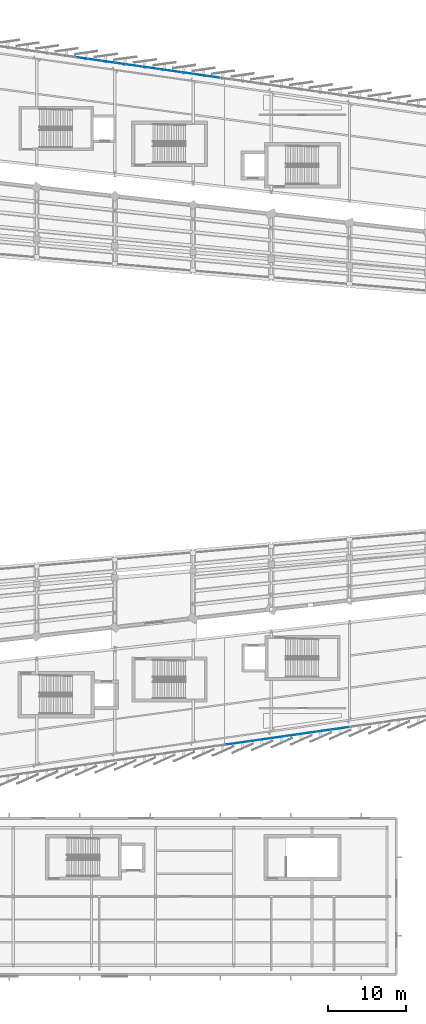
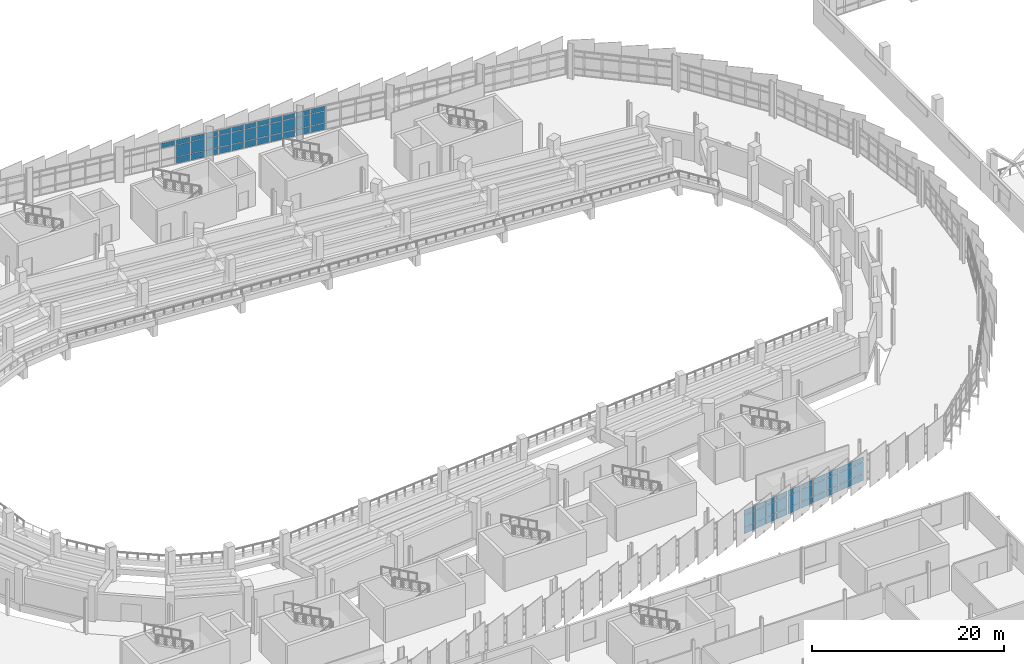
# One storey, part 87 of 120: 64 plates, 5 elements without a shape of their own.
"""IFC4 building model written with IfcOpenShell, lengths in metres."""

import ifcopenshell
import ifcopenshell.guid

model = None  # the IFC model being written
_history = None  # IfcOwnerHistory: only IFC2X3 demands one
_inside = {}  # id of a spatial element -> (the spatial element, [elements in it])
_under = {}  # id of a project, library or spatial element -> (it, [spatial elements below it])
_declared = {}  # id of a project -> (the project, [libraries it declares])
_typed = {}  # id of a type object -> (the type object, [elements of that type])
_made_of = {}  # id of a material, layer set ... -> (it, [elements and type objects made of it])


def new_model(schema):
    """Start an empty IFC model of exactly this schema.

    Asked for "IFC4X3", IfcOpenShell would pick the latest addendum, in which some entities
    have other attributes; the version numbers below select the first issue.
    IFC2X3 requires an IfcOwnerHistory on every rooted entity: one is made here for all.
    """
    global model, _history
    if schema == "IFC4X3":
        model = ifcopenshell.file(schema_version=(4, 3, 0, 0))
    else:
        model = ifcopenshell.file(schema=schema)
    _inside.clear()
    _under.clear()
    _declared.clear()
    _typed.clear()
    _made_of.clear()
    _history = None
    if model.schema == "IFC2X3":
        org = make("IfcOrganization", Name="unknown")
        user = make(
            "IfcPersonAndOrganization",
            ThePerson=make("IfcPerson", FamilyName="unknown"),
            TheOrganization=org,
        )
        app = make(
            "IfcApplication",
            ApplicationDeveloper=org,
            Version="unknown",
            ApplicationFullName="unknown",
            ApplicationIdentifier="unknown",
        )
        _history = make(
            "IfcOwnerHistory",
            OwningUser=user,
            OwningApplication=app,
            ChangeAction="ADDED",
            CreationDate=0,
        )
    return model


def make(cls, **values):
    """One entity of the class cls with the attributes given. An attribute that is None is left unset."""
    return model.create_entity(
        cls, **{name: value for name, value in values.items() if value is not None}
    )


def rooted(cls, **values):
    """An entity with a GlobalId (a new one), such as an element, a storey or a relation."""
    return make(cls, GlobalId=ifcopenshell.guid.new(), OwnerHistory=_history, **values)


def si_unit(unit_type, name, prefix=None):
    """IfcSIUnit, for example si_unit("LENGTHUNIT", "METRE", prefix="MILLI")."""
    return make("IfcSIUnit", UnitType=unit_type, Prefix=prefix, Name=name)


def assignment(units):
    """IfcUnitAssignment: the units of a project."""
    return None if units is None else make("IfcUnitAssignment", Units=units)


def point(xyz):
    """IfcCartesianPoint."""
    return None if xyz is None else make("IfcCartesianPoint", Coordinates=xyz)


def direction(xyz):
    """IfcDirection."""
    return None if xyz is None else make("IfcDirection", DirectionRatios=xyz)


def frame(location, z_axis=None, x_axis=None):
    """IfcAxis2Placement3D, a coordinate frame: its origin and axes. An axis left out is left unset."""
    return make(
        "IfcAxis2Placement3D",
        Location=point(location),
        Axis=direction(z_axis),
        RefDirection=direction(x_axis),
    )


def frame_2d(location, x_axis=None):
    """IfcAxis2Placement2D, a coordinate frame in the plane: its origin and x axis."""
    return make(
        "IfcAxis2Placement2D", Location=point(location), RefDirection=direction(x_axis)
    )


def origin():
    """The frame at (0, 0, 0) with its axes left unset."""
    return frame((0.0, 0.0, 0.0))


def origin_2d():
    """The frame at (0, 0) in the plane with its x axis left unset."""
    return frame_2d((0.0, 0.0))


def place(relative_to, where):
    """IfcLocalPlacement: puts the frame where relative to a parent placement (None: the world)."""
    return make(
        "IfcLocalPlacement", PlacementRelTo=relative_to, RelativePlacement=where
    )


def context(
    kind, dimensions, precision=None, world=None, true_north=None, identifier=None
):
    """IfcGeometricRepresentationContext, for example the 3D "Model" context."""
    return make(
        "IfcGeometricRepresentationContext",
        ContextIdentifier=identifier,
        ContextType=kind,
        CoordinateSpaceDimension=dimensions,
        Precision=precision,
        WorldCoordinateSystem=world,
        TrueNorth=true_north,
    )


def subcontext(parent, identifier, kind, view, scale=None):
    """IfcGeometricRepresentationSubContext, for example "Body" below "Model"."""
    return make(
        "IfcGeometricRepresentationSubContext",
        ContextIdentifier=identifier,
        ContextType=kind,
        ParentContext=parent,
        TargetScale=scale,
        TargetView=view,
    )


def project(units=None, contexts=None):
    """IfcProject with its units and contexts."""
    return rooted(
        "IfcProject",
        Name="project",
        RepresentationContexts=contexts,
        UnitsInContext=assignment(units),
    )


def spatial(cls, under=None, at=None, **own):
    """A site, building, storey or space (cls), placed at a placement, below another one or the project."""
    s = rooted(cls, ObjectPlacement=at, **own)
    if under is not None:
        _under.setdefault(under.id(), (under, []))[1].append(s)
    return s


def profile(cls, at=None, kind="AREA", **sizes):
    """A parametric profile (cls). Its sizes go by their IFC names, for example OverallWidth=200.0."""
    return make(cls, ProfileType=kind, Position=at, **sizes)


def rectangle(**sizes):
    """IfcRectangleProfileDef."""
    return profile("IfcRectangleProfileDef", **sizes)


def extrude(swept, where, along, depth):
    """IfcExtrudedAreaSolid: the profile swept, set in the frame where, extruded along a direction by depth."""
    return make(
        "IfcExtrudedAreaSolid",
        SweptArea=swept,
        Position=where,
        ExtrudedDirection=direction(along),
        Depth=depth,
    )


def shape(context_of_items, identifier, shape_type, items):
    """IfcShapeRepresentation: the items that make up one representation, for example the "Body"."""
    return make(
        "IfcShapeRepresentation",
        ContextOfItems=context_of_items,
        RepresentationIdentifier=identifier,
        RepresentationType=shape_type,
        Items=items,
    )


def material(Name=None, Category=None):
    """IfcMaterial."""
    return make("IfcMaterial", Name=Name, Category=Category)


def layer(
    of_material, thickness, ventilated=None, Name=None, Category=None, Priority=None
):
    """IfcMaterialLayer: one layer of a wall or slab, of a material (None: an air gap)."""
    return make(
        "IfcMaterialLayer",
        Material=of_material,
        LayerThickness=thickness,
        IsVentilated=ventilated,
        Name=Name,
        Category=Category,
        Priority=Priority,
    )


def layer_set(layers, Name=None):
    """IfcMaterialLayerSet."""
    return make("IfcMaterialLayerSet", MaterialLayers=layers, LayerSetName=Name)


def made_of(thing, what):
    """Note that an element or type object is made of a material, layer set ...; save() writes the relation."""
    if what is not None:
        _made_of.setdefault(what.id(), (what, []))[1].append(thing)
    return thing


def type_object(cls, material=None, **own):
    """A type object (cls), such as IfcWallType, which elements share."""
    return made_of(rooted(cls, **own), material)


def element(
    cls,
    number,
    at=None,
    inside=None,
    cuts=None,
    type_object=None,
    material=None,
    context=None,
    identifier="Body",
    shape_type=None,
    held_by="IfcProductDefinitionShape",
    body=None,
    shapes=None,
    **own,
):
    """One element of the class cls, such as IfcWall. Its Tag is "e" and its number.

    at: its placement. inside: the storey or other place that contains it. cuts: it is an
    opening in that element (IfcRelVoidsElement). A single representation is given by context,
    identifier, shape_type and body (its items); several are given by shapes. held_by: the class
    of the entity that holds the representations. save() writes the other relations.
    """
    e = rooted(cls, Tag="e%d" % number, ObjectPlacement=at, **own)
    if body is not None:
        shapes = [shape(context, identifier, shape_type, body)]
    if shapes is not None:
        e.Representation = make(held_by, Representations=shapes)
    if inside is not None:
        _inside.setdefault(inside.id(), (inside, []))[1].append(e)
    if cuts is not None:
        rooted(
            "IfcRelVoidsElement", RelatingBuildingElement=cuts, RelatedOpeningElement=e
        )
    if type_object is not None:
        _typed.setdefault(type_object.id(), (type_object, []))[1].append(e)
    return made_of(e, material)


def aggregate(whole, parts):
    """IfcRelAggregates: a whole, such as a stair, and the parts it consists of."""
    return rooted("IfcRelAggregates", RelatingObject=whole, RelatedObjects=parts)


def save(model, path):
    """Write the relations noted so far, then the file.

    IfcRelAggregates (storeys below a building ...), IfcRelContainedInSpatialStructure (elements
    in a storey), IfcRelDefinesByType, IfcRelAssociatesMaterial and IfcRelDeclares: one each for
    every whole, place, type object, material and project.
    """
    for whole, parts in _under.values():
        aggregate(whole, parts)
    for where, things in _inside.values():
        rooted(
            "IfcRelContainedInSpatialStructure",
            RelatedElements=things,
            RelatingStructure=where,
        )
    for kind, things in _typed.values():
        rooted("IfcRelDefinesByType", RelatedObjects=things, RelatingType=kind)
    for what, things in _made_of.values():
        rooted("IfcRelAssociatesMaterial", RelatedObjects=things, RelatingMaterial=what)
    for by, libraries in _declared.values():
        rooted("IfcRelDeclares", RelatingContext=by, RelatedDefinitions=libraries)
    model.write(path)


model = new_model("IFC4")

# Units and contexts
model_context = context("Model", 3, precision=1e-05, world=origin(), true_north=direction((0.0, 1.0)))
body_context = subcontext(model_context, "Body", "Model", "MODEL_VIEW")
ifc_project = project(units=[si_unit("LENGTHUNIT", "METRE"), si_unit("AREAUNIT", "SQUARE_METRE"), si_unit("VOLUMEUNIT", "CUBIC_METRE"), si_unit("PLANEANGLEUNIT", "RADIAN"), si_unit("MASSUNIT", "GRAM", prefix="KILO")], contexts=[model_context])

# Site, building, storey
site_placement = place(None, origin())
site = spatial("IfcSite", under=ifc_project, at=site_placement, CompositionType="ELEMENT")
building_placement = place(site_placement, origin())
building = spatial("IfcBuilding", under=site, at=building_placement, Name="Sohan Crest Arena", CompositionType="ELEMENT")
storey_placement = place(building_placement, frame((0.0, 0.0, 13.5)))
storey = spatial("IfcBuildingStorey", under=building, at=storey_placement, Name="L03", CompositionType="ELEMENT", Elevation=13.5)

# Curtain wall, plates
ifc_material_1 = material(Name="Thermally broken anodised aluminium", Category="aluminium")
ifc_layer_1 = layer(ifc_material_1, 0.18994140625, Name="Thermally broken anodised aluminium")
ifc_layer_set_1 = layer_set([ifc_layer_1], Name="Thermally broken anodised aluminium")
curtain_wall_type_1 = type_object("IfcCurtainWallType", Name="ARC-CW05", PredefinedType="NOTDEFINED", material=ifc_layer_set_1)
curtain_wall_1_placement = place(storey_placement, origin())
curtain_wall_1 = element("IfcCurtainWall", 1, at=curtain_wall_1_placement, inside=storey, type_object=curtain_wall_type_1, Name="Unitised curtain wall CW-094", PredefinedType="NOTDEFINED")
ifc_material_2 = material(Name="Low-E double-glazed insulated glass", Category="glass")
ifc_layer_2 = layer(ifc_material_2, 0.028076171875, Name="Low-E double-glazed insulated glass")
ifc_layer_set_2 = layer_set([ifc_layer_2], Name="Low-E double-glazed insulated glass")
plate_type_1 = type_object("IfcPlateType", Name="ARC-CNP01", PredefinedType="CURTAIN_PANEL", material=ifc_layer_set_2)
plate_1_placement = place(storey_placement, frame((143.0, 35.528564453125, 0.06494140625), z_axis=(0.0, 0.0, 1.0), x_axis=(0.989943553128, 0.141462933734, 0.0)))
plate_1 = element("IfcPlate", 2, at=plate_1_placement, type_object=plate_type_1, Name="CW-094 panel 4.1", PredefinedType="CURTAIN_PANEL", context=body_context, shape_type="SweptSolid", body=[
    extrude(rectangle(XDim=1.383056640625, YDim=0.028076171875, at=origin_2d()), origin(), (0.0, 0.0, 1.0), 0.802490234375),
])
plate_2_placement = place(storey_placement, frame((143.0, 35.528564453125, 0.932373046875), z_axis=(0.0, 0.0, 1.0), x_axis=(0.989943553128, 0.141462933734, 0.0)))
plate_2 = element("IfcPlate", 3, at=plate_2_placement, type_object=plate_type_1, Name="CW-094 panel 4.2", PredefinedType="CURTAIN_PANEL", context=body_context, shape_type="SweptSolid", body=[
    extrude(rectangle(XDim=1.383056640625, YDim=0.028076171875, at=origin_2d()), origin(), (0.0, 0.0, 1.0), 1.455078125),
])
plate_3_placement = place(storey_placement, frame((143.0, 35.528564453125, 2.452392578125), z_axis=(0.0, 0.0, 1.0), x_axis=(0.989943553128, 0.141462933734, 0.0)))
plate_3 = element("IfcPlate", 4, at=plate_3_placement, type_object=plate_type_1, Name="CW-094 panel 4.3", PredefinedType="CURTAIN_PANEL", context=body_context, shape_type="SweptSolid", body=[
    extrude(rectangle(XDim=1.383056640625, YDim=0.028076171875, at=origin_2d()), origin(), (0.0, 0.0, 1.0), 0.6025390625),
])
plate_4_placement = place(storey_placement, frame((144.428466796875, 35.732666015625, 0.06494140625), z_axis=(0.0, 0.0, 1.0), x_axis=(0.989943553128, 0.141462933734, 0.0)))
plate_4 = element("IfcPlate", 5, at=plate_4_placement, type_object=plate_type_1, Name="CW-094 panel 5.1", PredefinedType="CURTAIN_PANEL", context=body_context, shape_type="SweptSolid", body=[
    extrude(rectangle(XDim=1.383056640625, YDim=0.028076171875, at=origin_2d()), origin(), (0.0, 0.0, 1.0), 0.802490234375),
])
plate_5_placement = place(storey_placement, frame((144.428466796875, 35.732666015625, 0.932373046875), z_axis=(0.0, 0.0, 1.0), x_axis=(0.989943553128, 0.141462933734, 0.0)))
plate_5 = element("IfcPlate", 6, at=plate_5_placement, type_object=plate_type_1, Name="CW-094 panel 5.2", PredefinedType="CURTAIN_PANEL", context=body_context, shape_type="SweptSolid", body=[
    extrude(rectangle(XDim=1.383056640625, YDim=0.028076171875, at=origin_2d()), origin(), (0.0, 0.0, 1.0), 1.455078125),
])
plate_6_placement = place(storey_placement, frame((144.428466796875, 35.732666015625, 2.452392578125), z_axis=(0.0, 0.0, 1.0), x_axis=(0.989943553128, 0.141462933734, 0.0)))
plate_6 = element("IfcPlate", 7, at=plate_6_placement, type_object=plate_type_1, Name="CW-094 panel 5.3", PredefinedType="CURTAIN_PANEL", context=body_context, shape_type="SweptSolid", body=[
    extrude(rectangle(XDim=1.383056640625, YDim=0.028076171875, at=origin_2d()), origin(), (0.0, 0.0, 1.0), 0.6025390625),
])
plate_7_placement = place(storey_placement, frame((145.857177734375, 35.936767578125, 0.06494140625), z_axis=(0.0, 0.0, 1.0), x_axis=(0.989943553128, 0.141462933734, 0.0)))
plate_7 = element("IfcPlate", 8, at=plate_7_placement, type_object=plate_type_1, Name="CW-094 panel 6.1", PredefinedType="CURTAIN_PANEL", context=body_context, shape_type="SweptSolid", body=[
    extrude(rectangle(XDim=1.383056640625, YDim=0.028076171875, at=origin_2d()), origin(), (0.0, 0.0, 1.0), 0.802490234375),
])
plate_8_placement = place(storey_placement, frame((145.857177734375, 35.936767578125, 0.932373046875), z_axis=(0.0, 0.0, 1.0), x_axis=(0.989943553128, 0.141462933734, 0.0)))
plate_8 = element("IfcPlate", 9, at=plate_8_placement, type_object=plate_type_1, Name="CW-094 panel 6.2", PredefinedType="CURTAIN_PANEL", context=body_context, shape_type="SweptSolid", body=[
    extrude(rectangle(XDim=1.383056640625, YDim=0.028076171875, at=origin_2d()), origin(), (0.0, 0.0, 1.0), 1.455078125),
])
plate_9_placement = place(storey_placement, frame((145.857177734375, 35.936767578125, 2.452392578125), z_axis=(0.0, 0.0, 1.0), x_axis=(0.989943553128, 0.141462933734, 0.0)))
plate_9 = element("IfcPlate", 10, at=plate_9_placement, type_object=plate_type_1, Name="CW-094 panel 6.3", PredefinedType="CURTAIN_PANEL", context=body_context, shape_type="SweptSolid", body=[
    extrude(rectangle(XDim=1.383056640625, YDim=0.028076171875, at=origin_2d()), origin(), (0.0, 0.0, 1.0), 0.6025390625),
])
plate_10_placement = place(storey_placement, frame((147.270751953125, 36.138916015625, 0.06494140625), z_axis=(0.0, 0.0, 1.0), x_axis=(0.989943553128, 0.141462933734, 0.0)))
plate_10 = element("IfcPlate", 11, at=plate_10_placement, type_object=plate_type_1, Name="CW-094 panel 7.1", PredefinedType="CURTAIN_PANEL", context=body_context, shape_type="SweptSolid", body=[
    extrude(rectangle(XDim=1.35302734375, YDim=0.028076171875, at=origin_2d()), origin(), (0.0, 0.0, 1.0), 0.802490234375),
])
plate_11_placement = place(storey_placement, frame((147.270751953125, 36.138916015625, 0.932373046875), z_axis=(0.0, 0.0, 1.0), x_axis=(0.989943553128, 0.141462933734, 0.0)))
plate_11 = element("IfcPlate", 12, at=plate_11_placement, type_object=plate_type_1, Name="CW-094 panel 7.2", PredefinedType="CURTAIN_PANEL", context=body_context, shape_type="SweptSolid", body=[
    extrude(rectangle(XDim=1.35302734375, YDim=0.028076171875, at=origin_2d()), origin(), (0.0, 0.0, 1.0), 1.455078125),
])
plate_12_placement = place(storey_placement, frame((147.270751953125, 36.138916015625, 2.452392578125), z_axis=(0.0, 0.0, 1.0), x_axis=(0.989943553128, 0.141462933734, 0.0)))
plate_12 = element("IfcPlate", 13, at=plate_12_placement, type_object=plate_type_1, Name="CW-094 panel 7.3", PredefinedType="CURTAIN_PANEL", context=body_context, shape_type="SweptSolid", body=[
    extrude(rectangle(XDim=1.35302734375, YDim=0.028076171875, at=origin_2d()), origin(), (0.0, 0.0, 1.0), 0.6025390625),
])
aggregate(curtain_wall_1, [plate_1, plate_2, plate_3, plate_4, plate_5, plate_6, plate_7, plate_8, plate_9, plate_10, plate_11, plate_12])

ifc_layer_3 = layer(ifc_material_1, 0.2099609375, Name="Thermally broken anodised aluminium")
ifc_layer_set_3 = layer_set([ifc_layer_3], Name="Thermally broken anodised aluminium")
curtain_wall_type_2 = type_object("IfcCurtainWallType", Name="ARC-CW06", PredefinedType="NOTDEFINED", material=ifc_layer_set_3)
curtain_wall_2_placement = place(storey_placement, origin())
curtain_wall_2 = element("IfcCurtainWall", 14, at=curtain_wall_2_placement, inside=storey, type_object=curtain_wall_type_2, Name="Unitised curtain wall CW-095", PredefinedType="NOTDEFINED")
ifc_layer_4 = layer(ifc_material_2, 0.031982421875, Name="Low-E double-glazed insulated glass")
ifc_layer_set_4 = layer_set([ifc_layer_4], Name="Low-E double-glazed insulated glass")
plate_type_2 = type_object("IfcPlateType", Name="ARC-CNP02", PredefinedType="CURTAIN_PANEL", material=ifc_layer_set_4)
plate_13_placement = place(storey_placement, frame((148.849365234375, 36.3642578125, 0.070068359375), z_axis=(0.0, 0.0, 1.0), x_axis=(0.989957411768, 0.141365918403, 0.0)))
plate_13 = element("IfcPlate", 15, at=plate_13_placement, type_object=plate_type_2, Name="CW-095 panel 1.1", PredefinedType="CURTAIN_PANEL", context=body_context, shape_type="SweptSolid", body=[
    extrude(rectangle(XDim=1.586181640625, YDim=0.031982421875, at=origin_2d()), origin(), (0.0, 0.0, 1.0), 0.794921875),
])
plate_14_placement = place(storey_placement, frame((148.849365234375, 36.3642578125, 0.93505859375), z_axis=(0.0, 0.0, 1.0), x_axis=(0.989957411768, 0.141365918403, 0.0)))
plate_14 = element("IfcPlate", 16, at=plate_14_placement, type_object=plate_type_2, Name="CW-095 panel 1.2", PredefinedType="CURTAIN_PANEL", context=body_context, shape_type="SweptSolid", body=[
    extrude(rectangle(XDim=1.586181640625, YDim=0.031982421875, at=origin_2d()), origin(), (0.0, 0.0, 1.0), 1.449951171875),
])
plate_15_placement = place(storey_placement, frame((148.849365234375, 36.3642578125, 2.455078125), z_axis=(0.0, 0.0, 1.0), x_axis=(0.989957411768, 0.141365918403, 0.0)))
plate_15 = element("IfcPlate", 17, at=plate_15_placement, type_object=plate_type_2, Name="CW-095 panel 1.3", PredefinedType="CURTAIN_PANEL", context=body_context, shape_type="SweptSolid", body=[
    extrude(rectangle(XDim=1.586181640625, YDim=0.031982421875, at=origin_2d()), origin(), (0.0, 0.0, 1.0), 0.594970703125),
])
plate_16_placement = place(storey_placement, frame((150.5, 36.60009765625, 0.070068359375), z_axis=(0.0, 0.0, 1.0), x_axis=(0.989957411768, 0.141365918403, 0.0)))
plate_16 = element("IfcPlate", 18, at=plate_16_placement, type_object=plate_type_2, Name="CW-095 panel 2.1", PredefinedType="CURTAIN_PANEL", context=body_context, shape_type="SweptSolid", body=[
    extrude(rectangle(XDim=1.61865234375, YDim=0.031982421875, at=origin_2d()), origin(), (0.0, 0.0, 1.0), 0.794921875),
])
plate_17_placement = place(storey_placement, frame((150.5, 36.60009765625, 0.93505859375), z_axis=(0.0, 0.0, 1.0), x_axis=(0.989957411768, 0.141365918403, 0.0)))
plate_17 = element("IfcPlate", 19, at=plate_17_placement, type_object=plate_type_2, Name="CW-095 panel 2.2", PredefinedType="CURTAIN_PANEL", context=body_context, shape_type="SweptSolid", body=[
    extrude(rectangle(XDim=1.61865234375, YDim=0.031982421875, at=origin_2d()), origin(), (0.0, 0.0, 1.0), 1.449951171875),
])
plate_18_placement = place(storey_placement, frame((150.5, 36.60009765625, 2.455078125), z_axis=(0.0, 0.0, 1.0), x_axis=(0.989957411768, 0.141365918403, 0.0)))
plate_18 = element("IfcPlate", 20, at=plate_18_placement, type_object=plate_type_2, Name="CW-095 panel 2.3", PredefinedType="CURTAIN_PANEL", context=body_context, shape_type="SweptSolid", body=[
    extrude(rectangle(XDim=1.61865234375, YDim=0.031982421875, at=origin_2d()), origin(), (0.0, 0.0, 1.0), 0.594970703125),
])
plate_19_placement = place(storey_placement, frame((152.166748046875, 36.837890625, 0.070068359375), z_axis=(0.0, 0.0, 1.0), x_axis=(0.989957411768, 0.141365918403, 0.0)))
plate_19 = element("IfcPlate", 21, at=plate_19_placement, type_object=plate_type_2, Name="CW-095 panel 3.1", PredefinedType="CURTAIN_PANEL", context=body_context, shape_type="SweptSolid", body=[
    extrude(rectangle(XDim=1.61865234375, YDim=0.031982421875, at=origin_2d()), origin(), (0.0, 0.0, 1.0), 0.794921875),
])
plate_20_placement = place(storey_placement, frame((152.166748046875, 36.837890625, 0.93505859375), z_axis=(0.0, 0.0, 1.0), x_axis=(0.989957411768, 0.141365918403, 0.0)))
plate_20 = element("IfcPlate", 22, at=plate_20_placement, type_object=plate_type_2, Name="CW-095 panel 3.2", PredefinedType="CURTAIN_PANEL", context=body_context, shape_type="SweptSolid", body=[
    extrude(rectangle(XDim=1.61865234375, YDim=0.031982421875, at=origin_2d()), origin(), (0.0, 0.0, 1.0), 1.449951171875),
])
plate_21_placement = place(storey_placement, frame((152.166748046875, 36.837890625, 2.455078125), z_axis=(0.0, 0.0, 1.0), x_axis=(0.989957411768, 0.141365918403, 0.0)))
plate_21 = element("IfcPlate", 23, at=plate_21_placement, type_object=plate_type_2, Name="CW-095 panel 3.3", PredefinedType="CURTAIN_PANEL", context=body_context, shape_type="SweptSolid", body=[
    extrude(rectangle(XDim=1.61865234375, YDim=0.031982421875, at=origin_2d()), origin(), (0.0, 0.0, 1.0), 0.594970703125),
])
plate_22_placement = place(storey_placement, frame((153.833251953125, 37.075927734375, 0.070068359375), z_axis=(0.0, 0.0, 1.0), x_axis=(0.989957411768, 0.141365918403, 0.0)))
plate_22 = element("IfcPlate", 24, at=plate_22_placement, type_object=plate_type_2, Name="CW-095 panel 4.1", PredefinedType="CURTAIN_PANEL", context=body_context, shape_type="SweptSolid", body=[
    extrude(rectangle(XDim=1.61865234375, YDim=0.031982421875, at=origin_2d()), origin(), (0.0, 0.0, 1.0), 0.794921875),
])
plate_23_placement = place(storey_placement, frame((153.833251953125, 37.075927734375, 0.93505859375), z_axis=(0.0, 0.0, 1.0), x_axis=(0.989957411768, 0.141365918403, 0.0)))
plate_23 = element("IfcPlate", 25, at=plate_23_placement, type_object=plate_type_2, Name="CW-095 panel 4.2", PredefinedType="CURTAIN_PANEL", context=body_context, shape_type="SweptSolid", body=[
    extrude(rectangle(XDim=1.61865234375, YDim=0.031982421875, at=origin_2d()), origin(), (0.0, 0.0, 1.0), 1.449951171875),
])
plate_24_placement = place(storey_placement, frame((153.833251953125, 37.075927734375, 2.455078125), z_axis=(0.0, 0.0, 1.0), x_axis=(0.989957411768, 0.141365918403, 0.0)))
plate_24 = element("IfcPlate", 26, at=plate_24_placement, type_object=plate_type_2, Name="CW-095 panel 4.3", PredefinedType="CURTAIN_PANEL", context=body_context, shape_type="SweptSolid", body=[
    extrude(rectangle(XDim=1.61865234375, YDim=0.031982421875, at=origin_2d()), origin(), (0.0, 0.0, 1.0), 0.594970703125),
])
plate_25_placement = place(storey_placement, frame((155.5, 37.31396484375, 0.070068359375), z_axis=(0.0, 0.0, 1.0), x_axis=(0.989957411768, 0.141365918403, 0.0)))
plate_25 = element("IfcPlate", 27, at=plate_25_placement, type_object=plate_type_2, Name="CW-095 panel 5.1", PredefinedType="CURTAIN_PANEL", context=body_context, shape_type="SweptSolid", body=[
    extrude(rectangle(XDim=1.61865234375, YDim=0.031982421875, at=origin_2d()), origin(), (0.0, 0.0, 1.0), 0.794921875),
])
plate_26_placement = place(storey_placement, frame((155.5, 37.31396484375, 0.93505859375), z_axis=(0.0, 0.0, 1.0), x_axis=(0.989957411768, 0.141365918403, 0.0)))
plate_26 = element("IfcPlate", 28, at=plate_26_placement, type_object=plate_type_2, Name="CW-095 panel 5.2", PredefinedType="CURTAIN_PANEL", context=body_context, shape_type="SweptSolid", body=[
    extrude(rectangle(XDim=1.61865234375, YDim=0.031982421875, at=origin_2d()), origin(), (0.0, 0.0, 1.0), 1.449951171875),
])
plate_27_placement = place(storey_placement, frame((155.5, 37.31396484375, 2.455078125), z_axis=(0.0, 0.0, 1.0), x_axis=(0.989957411768, 0.141365918403, 0.0)))
plate_27 = element("IfcPlate", 29, at=plate_27_placement, type_object=plate_type_2, Name="CW-095 panel 5.3", PredefinedType="CURTAIN_PANEL", context=body_context, shape_type="SweptSolid", body=[
    extrude(rectangle(XDim=1.61865234375, YDim=0.031982421875, at=origin_2d()), origin(), (0.0, 0.0, 1.0), 0.594970703125),
])
plate_28_placement = place(storey_placement, frame((157.150634765625, 37.5498046875, 0.070068359375), z_axis=(0.0, 0.0, 1.0), x_axis=(0.989957411768, 0.141365918403, 0.0)))
plate_28 = element("IfcPlate", 30, at=plate_28_placement, type_object=plate_type_2, Name="CW-095 panel 6.1", PredefinedType="CURTAIN_PANEL", context=body_context, shape_type="SweptSolid", body=[
    extrude(rectangle(XDim=1.586181640625, YDim=0.031982421875, at=origin_2d()), origin(), (0.0, 0.0, 1.0), 0.794921875),
])
plate_29_placement = place(storey_placement, frame((157.150634765625, 37.5498046875, 0.93505859375), z_axis=(0.0, 0.0, 1.0), x_axis=(0.989957411768, 0.141365918403, 0.0)))
plate_29 = element("IfcPlate", 31, at=plate_29_placement, type_object=plate_type_2, Name="CW-095 panel 6.2", PredefinedType="CURTAIN_PANEL", context=body_context, shape_type="SweptSolid", body=[
    extrude(rectangle(XDim=1.586181640625, YDim=0.031982421875, at=origin_2d()), origin(), (0.0, 0.0, 1.0), 1.449951171875),
])
plate_30_placement = place(storey_placement, frame((157.150634765625, 37.5498046875, 2.455078125), z_axis=(0.0, 0.0, 1.0), x_axis=(0.989957411768, 0.141365918403, 0.0)))
plate_30 = element("IfcPlate", 32, at=plate_30_placement, type_object=plate_type_2, Name="CW-095 panel 6.3", PredefinedType="CURTAIN_PANEL", context=body_context, shape_type="SweptSolid", body=[
    extrude(rectangle(XDim=1.586181640625, YDim=0.031982421875, at=origin_2d()), origin(), (0.0, 0.0, 1.0), 0.594970703125),
])
aggregate(curtain_wall_2, [plate_13, plate_14, plate_15, plate_16, plate_17, plate_18, plate_19, plate_20, plate_21, plate_22, plate_23, plate_24, plate_25, plate_26, plate_27, plate_28, plate_29, plate_30])

curtain_wall_3_placement = place(storey_placement, origin())
curtain_wall_3 = element("IfcCurtainWall", 33, at=curtain_wall_3_placement, inside=storey, type_object=curtain_wall_type_2, Name="Unitised curtain wall CW-107", PredefinedType="NOTDEFINED")
plate_31_placement = place(storey_placement, frame((140.5, 120.828857421875, 0.070068359375), z_axis=(0.0, 0.0, 1.0), x_axis=(-0.989943553128, 0.141462933734, 0.0)))
plate_31 = element("IfcPlate", 34, at=plate_31_placement, type_object=plate_type_2, Name="CW-107 panel 5.1", PredefinedType="CURTAIN_PANEL", context=body_context, shape_type="SweptSolid", body=[
    extrude(rectangle(XDim=1.61865234375, YDim=0.031982421875, at=origin_2d()), origin(), (0.0, 0.0, 1.0), 0.794921875),
])
plate_32_placement = place(storey_placement, frame((140.5, 120.828857421875, 0.93505859375), z_axis=(0.0, 0.0, 1.0), x_axis=(-0.989943553128, 0.141462933734, 0.0)))
plate_32 = element("IfcPlate", 35, at=plate_32_placement, type_object=plate_type_2, Name="CW-107 panel 5.2", PredefinedType="CURTAIN_PANEL", context=body_context, shape_type="SweptSolid", body=[
    extrude(rectangle(XDim=1.61865234375, YDim=0.031982421875, at=origin_2d()), origin(), (0.0, 0.0, 1.0), 1.449951171875),
])
plate_33_placement = place(storey_placement, frame((140.5, 120.828857421875, 2.455078125), z_axis=(0.0, 0.0, 1.0), x_axis=(-0.989943553128, 0.141462933734, 0.0)))
plate_33 = element("IfcPlate", 36, at=plate_33_placement, type_object=plate_type_2, Name="CW-107 panel 5.3", PredefinedType="CURTAIN_PANEL", context=body_context, shape_type="SweptSolid", body=[
    extrude(rectangle(XDim=1.61865234375, YDim=0.031982421875, at=origin_2d()), origin(), (0.0, 0.0, 1.0), 0.594970703125),
])
plate_34_placement = place(storey_placement, frame((138.849365234375, 121.064697265625, 0.070068359375), z_axis=(0.0, 0.0, 1.0), x_axis=(-0.989943553128, 0.141462933734, 0.0)))
plate_34 = element("IfcPlate", 37, at=plate_34_placement, type_object=plate_type_2, Name="CW-107 panel 6.1", PredefinedType="CURTAIN_PANEL", context=body_context, shape_type="SweptSolid", body=[
    extrude(rectangle(XDim=1.586181640625, YDim=0.031982421875, at=origin_2d()), origin(), (0.0, 0.0, 1.0), 0.794921875),
])
plate_35_placement = place(storey_placement, frame((138.849365234375, 121.064697265625, 0.93505859375), z_axis=(0.0, 0.0, 1.0), x_axis=(-0.989943553128, 0.141462933734, 0.0)))
plate_35 = element("IfcPlate", 38, at=plate_35_placement, type_object=plate_type_2, Name="CW-107 panel 6.2", PredefinedType="CURTAIN_PANEL", context=body_context, shape_type="SweptSolid", body=[
    extrude(rectangle(XDim=1.586181640625, YDim=0.031982421875, at=origin_2d()), origin(), (0.0, 0.0, 1.0), 1.449951171875),
])
plate_36_placement = place(storey_placement, frame((138.849365234375, 121.064697265625, 2.455078125), z_axis=(0.0, 0.0, 1.0), x_axis=(-0.989943553128, 0.141462933734, 0.0)))
plate_36 = element("IfcPlate", 39, at=plate_36_placement, type_object=plate_type_2, Name="CW-107 panel 6.3", PredefinedType="CURTAIN_PANEL", context=body_context, shape_type="SweptSolid", body=[
    extrude(rectangle(XDim=1.586181640625, YDim=0.031982421875, at=origin_2d()), origin(), (0.0, 0.0, 1.0), 0.594970703125),
])
aggregate(curtain_wall_3, [plate_31, plate_32, plate_33, plate_34, plate_35, plate_36])

ifc_layer_5 = layer(ifc_material_1, 0.179931640625, Name="Thermally broken anodised aluminium")
ifc_layer_set_5 = layer_set([ifc_layer_5], Name="Thermally broken anodised aluminium")
curtain_wall_type_3 = type_object("IfcCurtainWallType", Name="ARC-CW01", PredefinedType="NOTDEFINED", material=ifc_layer_set_5)
curtain_wall_4_placement = place(storey_placement, origin())
curtain_wall_4 = element("IfcCurtainWall", 40, at=curtain_wall_4_placement, inside=storey, type_object=curtain_wall_type_3, Name="Unitised curtain wall CW-108", PredefinedType="NOTDEFINED")
ifc_material_3 = material(Name="Ceramic-fritted solar-control insulated glass", Category="glass")
ifc_layer_6 = layer(ifc_material_3, 0.035888671875, Name="Ceramic-fritted solar-control insulated glass")
ifc_layer_set_6 = layer_set([ifc_layer_6], Name="Ceramic-fritted solar-control insulated glass")
plate_type_3 = type_object("IfcPlateType", Name="ARC-CNP03", PredefinedType="CURTAIN_PANEL", material=ifc_layer_set_6)
plate_37_placement = place(storey_placement, frame((137.268310546875, 121.29052734375, 0.06005859375), z_axis=(0.0, 0.0, 1.0), x_axis=(-0.989957411768, 0.141365918403, 0.0)))
plate_37 = element("IfcPlate", 41, at=plate_37_placement, type_object=plate_type_3, Name="CW-108 panel 1.1", PredefinedType="CURTAIN_PANEL", context=body_context, shape_type="SweptSolid", body=[
    extrude(rectangle(XDim=1.338134765625, YDim=0.035888671875, at=origin_2d()), origin(), (0.0, 0.0, 1.0), 0.81005859375),
])
plate_38_placement = place(storey_placement, frame((137.268310546875, 121.29052734375, 0.929931640625), z_axis=(0.0, 0.0, 1.0), x_axis=(-0.989957411768, 0.141365918403, 0.0)))
plate_38 = element("IfcPlate", 42, at=plate_38_placement, type_object=plate_type_3, Name="CW-108 panel 1.2", PredefinedType="CURTAIN_PANEL", context=body_context, shape_type="SweptSolid", body=[
    extrude(rectangle(XDim=1.338134765625, YDim=0.035888671875, at=origin_2d()), origin(), (0.0, 0.0, 1.0), 1.4599609375),
])
plate_39_placement = place(storey_placement, frame((137.268310546875, 121.29052734375, 2.44970703125), z_axis=(0.0, 0.0, 1.0), x_axis=(-0.989957411768, 0.141365918403, 0.0)))
plate_39 = element("IfcPlate", 43, at=plate_39_placement, type_object=plate_type_3, Name="CW-108 panel 1.3", PredefinedType="CURTAIN_PANEL", context=body_context, shape_type="SweptSolid", body=[
    extrude(rectangle(XDim=1.338134765625, YDim=0.035888671875, at=origin_2d()), origin(), (0.0, 0.0, 1.0), 0.610107421875),
])
plate_40_placement = place(storey_placement, frame((135.857177734375, 121.491943359375, 0.06005859375), z_axis=(0.0, 0.0, 1.0), x_axis=(-0.989957411768, 0.141365918403, 0.0)))
plate_40 = element("IfcPlate", 44, at=plate_40_placement, type_object=plate_type_3, Name="CW-108 panel 2.1", PredefinedType="CURTAIN_PANEL", context=body_context, shape_type="SweptSolid", body=[
    extrude(rectangle(XDim=1.373046875, YDim=0.035888671875, at=origin_2d()), origin(), (0.0, 0.0, 1.0), 0.81005859375),
])
plate_41_placement = place(storey_placement, frame((135.857177734375, 121.491943359375, 0.929931640625), z_axis=(0.0, 0.0, 1.0), x_axis=(-0.989957411768, 0.141365918403, 0.0)))
plate_41 = element("IfcPlate", 45, at=plate_41_placement, type_object=plate_type_3, Name="CW-108 panel 2.2", PredefinedType="CURTAIN_PANEL", context=body_context, shape_type="SweptSolid", body=[
    extrude(rectangle(XDim=1.373046875, YDim=0.035888671875, at=origin_2d()), origin(), (0.0, 0.0, 1.0), 1.4599609375),
])
plate_42_placement = place(storey_placement, frame((135.857177734375, 121.491943359375, 2.44970703125), z_axis=(0.0, 0.0, 1.0), x_axis=(-0.989957411768, 0.141365918403, 0.0)))
plate_42 = element("IfcPlate", 46, at=plate_42_placement, type_object=plate_type_3, Name="CW-108 panel 2.3", PredefinedType="CURTAIN_PANEL", context=body_context, shape_type="SweptSolid", body=[
    extrude(rectangle(XDim=1.373046875, YDim=0.035888671875, at=origin_2d()), origin(), (0.0, 0.0, 1.0), 0.610107421875),
])
plate_43_placement = place(storey_placement, frame((134.428466796875, 121.696044921875, 0.06005859375), z_axis=(0.0, 0.0, 1.0), x_axis=(-0.989957411768, 0.141365918403, 0.0)))
plate_43 = element("IfcPlate", 47, at=plate_43_placement, type_object=plate_type_3, Name="CW-108 panel 3.1", PredefinedType="CURTAIN_PANEL", context=body_context, shape_type="SweptSolid", body=[
    extrude(rectangle(XDim=1.373046875, YDim=0.035888671875, at=origin_2d()), origin(), (0.0, 0.0, 1.0), 0.81005859375),
])
plate_44_placement = place(storey_placement, frame((134.428466796875, 121.696044921875, 0.929931640625), z_axis=(0.0, 0.0, 1.0), x_axis=(-0.989957411768, 0.141365918403, 0.0)))
plate_44 = element("IfcPlate", 48, at=plate_44_placement, type_object=plate_type_3, Name="CW-108 panel 3.2", PredefinedType="CURTAIN_PANEL", context=body_context, shape_type="SweptSolid", body=[
    extrude(rectangle(XDim=1.373046875, YDim=0.035888671875, at=origin_2d()), origin(), (0.0, 0.0, 1.0), 1.4599609375),
])
plate_45_placement = place(storey_placement, frame((134.428466796875, 121.696044921875, 2.44970703125), z_axis=(0.0, 0.0, 1.0), x_axis=(-0.989957411768, 0.141365918403, 0.0)))
plate_45 = element("IfcPlate", 49, at=plate_45_placement, type_object=plate_type_3, Name="CW-108 panel 3.3", PredefinedType="CURTAIN_PANEL", context=body_context, shape_type="SweptSolid", body=[
    extrude(rectangle(XDim=1.373046875, YDim=0.035888671875, at=origin_2d()), origin(), (0.0, 0.0, 1.0), 0.610107421875),
])
plate_46_placement = place(storey_placement, frame((133.0, 121.89990234375, 0.06005859375), z_axis=(0.0, 0.0, 1.0), x_axis=(-0.989957411768, 0.141365918403, 0.0)))
plate_46 = element("IfcPlate", 50, at=plate_46_placement, type_object=plate_type_3, Name="CW-108 panel 4.1", PredefinedType="CURTAIN_PANEL", context=body_context, shape_type="SweptSolid", body=[
    extrude(rectangle(XDim=1.373046875, YDim=0.035888671875, at=origin_2d()), origin(), (0.0, 0.0, 1.0), 0.81005859375),
])
plate_47_placement = place(storey_placement, frame((133.0, 121.89990234375, 0.929931640625), z_axis=(0.0, 0.0, 1.0), x_axis=(-0.989957411768, 0.141365918403, 0.0)))
plate_47 = element("IfcPlate", 51, at=plate_47_placement, type_object=plate_type_3, Name="CW-108 panel 4.2", PredefinedType="CURTAIN_PANEL", context=body_context, shape_type="SweptSolid", body=[
    extrude(rectangle(XDim=1.373046875, YDim=0.035888671875, at=origin_2d()), origin(), (0.0, 0.0, 1.0), 1.4599609375),
])
plate_48_placement = place(storey_placement, frame((133.0, 121.89990234375, 2.44970703125), z_axis=(0.0, 0.0, 1.0), x_axis=(-0.989957411768, 0.141365918403, 0.0)))
plate_48 = element("IfcPlate", 52, at=plate_48_placement, type_object=plate_type_3, Name="CW-108 panel 4.3", PredefinedType="CURTAIN_PANEL", context=body_context, shape_type="SweptSolid", body=[
    extrude(rectangle(XDim=1.373046875, YDim=0.035888671875, at=origin_2d()), origin(), (0.0, 0.0, 1.0), 0.610107421875),
])
plate_49_placement = place(storey_placement, frame((131.571533203125, 122.10400390625, 0.06005859375), z_axis=(0.0, 0.0, 1.0), x_axis=(-0.989957411768, 0.141365918403, 0.0)))
plate_49 = element("IfcPlate", 53, at=plate_49_placement, type_object=plate_type_3, Name="CW-108 panel 5.1", PredefinedType="CURTAIN_PANEL", context=body_context, shape_type="SweptSolid", body=[
    extrude(rectangle(XDim=1.373046875, YDim=0.035888671875, at=origin_2d()), origin(), (0.0, 0.0, 1.0), 0.81005859375),
])
plate_50_placement = place(storey_placement, frame((131.571533203125, 122.10400390625, 0.929931640625), z_axis=(0.0, 0.0, 1.0), x_axis=(-0.989957411768, 0.141365918403, 0.0)))
plate_50 = element("IfcPlate", 54, at=plate_50_placement, type_object=plate_type_3, Name="CW-108 panel 5.2", PredefinedType="CURTAIN_PANEL", context=body_context, shape_type="SweptSolid", body=[
    extrude(rectangle(XDim=1.373046875, YDim=0.035888671875, at=origin_2d()), origin(), (0.0, 0.0, 1.0), 1.4599609375),
])
plate_51_placement = place(storey_placement, frame((131.571533203125, 122.10400390625, 2.44970703125), z_axis=(0.0, 0.0, 1.0), x_axis=(-0.989957411768, 0.141365918403, 0.0)))
plate_51 = element("IfcPlate", 55, at=plate_51_placement, type_object=plate_type_3, Name="CW-108 panel 5.3", PredefinedType="CURTAIN_PANEL", context=body_context, shape_type="SweptSolid", body=[
    extrude(rectangle(XDim=1.373046875, YDim=0.035888671875, at=origin_2d()), origin(), (0.0, 0.0, 1.0), 0.610107421875),
])
plate_52_placement = place(storey_placement, frame((130.142822265625, 122.30810546875, 0.06005859375), z_axis=(0.0, 0.0, 1.0), x_axis=(-0.989957411768, 0.141365918403, 0.0)))
plate_52 = element("IfcPlate", 56, at=plate_52_placement, type_object=plate_type_3, Name="CW-108 panel 6.1", PredefinedType="CURTAIN_PANEL", context=body_context, shape_type="SweptSolid", body=[
    extrude(rectangle(XDim=1.373046875, YDim=0.035888671875, at=origin_2d()), origin(), (0.0, 0.0, 1.0), 0.81005859375),
])
plate_53_placement = place(storey_placement, frame((130.142822265625, 122.30810546875, 0.929931640625), z_axis=(0.0, 0.0, 1.0), x_axis=(-0.989957411768, 0.141365918403, 0.0)))
plate_53 = element("IfcPlate", 57, at=plate_53_placement, type_object=plate_type_3, Name="CW-108 panel 6.2", PredefinedType="CURTAIN_PANEL", context=body_context, shape_type="SweptSolid", body=[
    extrude(rectangle(XDim=1.373046875, YDim=0.035888671875, at=origin_2d()), origin(), (0.0, 0.0, 1.0), 1.4599609375),
])
plate_54_placement = place(storey_placement, frame((130.142822265625, 122.30810546875, 2.44970703125), z_axis=(0.0, 0.0, 1.0), x_axis=(-0.989957411768, 0.141365918403, 0.0)))
plate_54 = element("IfcPlate", 58, at=plate_54_placement, type_object=plate_type_3, Name="CW-108 panel 6.3", PredefinedType="CURTAIN_PANEL", context=body_context, shape_type="SweptSolid", body=[
    extrude(rectangle(XDim=1.373046875, YDim=0.035888671875, at=origin_2d()), origin(), (0.0, 0.0, 1.0), 0.610107421875),
])
plate_55_placement = place(storey_placement, frame((128.731689453125, 122.509521484375, 0.06005859375), z_axis=(0.0, 0.0, 1.0), x_axis=(-0.989957411768, 0.141365918403, 0.0)))
plate_55 = element("IfcPlate", 59, at=plate_55_placement, type_object=plate_type_3, Name="CW-108 panel 7.1", PredefinedType="CURTAIN_PANEL", context=body_context, shape_type="SweptSolid", body=[
    extrude(rectangle(XDim=1.338134765625, YDim=0.035888671875, at=origin_2d()), origin(), (0.0, 0.0, 1.0), 0.81005859375),
])
plate_56_placement = place(storey_placement, frame((128.731689453125, 122.509521484375, 0.929931640625), z_axis=(0.0, 0.0, 1.0), x_axis=(-0.989957411768, 0.141365918403, 0.0)))
plate_56 = element("IfcPlate", 60, at=plate_56_placement, type_object=plate_type_3, Name="CW-108 panel 7.2", PredefinedType="CURTAIN_PANEL", context=body_context, shape_type="SweptSolid", body=[
    extrude(rectangle(XDim=1.338134765625, YDim=0.035888671875, at=origin_2d()), origin(), (0.0, 0.0, 1.0), 1.4599609375),
])
plate_57_placement = place(storey_placement, frame((128.731689453125, 122.509521484375, 2.44970703125), z_axis=(0.0, 0.0, 1.0), x_axis=(-0.989957411768, 0.141365918403, 0.0)))
plate_57 = element("IfcPlate", 61, at=plate_57_placement, type_object=plate_type_3, Name="CW-108 panel 7.3", PredefinedType="CURTAIN_PANEL", context=body_context, shape_type="SweptSolid", body=[
    extrude(rectangle(XDim=1.338134765625, YDim=0.035888671875, at=origin_2d()), origin(), (0.0, 0.0, 1.0), 0.610107421875),
])
aggregate(curtain_wall_4, [plate_37, plate_38, plate_39, plate_40, plate_41, plate_42, plate_43, plate_44, plate_45, plate_46, plate_47, plate_48, plate_49, plate_50, plate_51, plate_52, plate_53, plate_54, plate_55, plate_56, plate_57])

ifc_layer_7 = layer(ifc_material_1, 0.199951171875, Name="Thermally broken anodised aluminium")
ifc_layer_set_7 = layer_set([ifc_layer_7], Name="Thermally broken anodised aluminium")
curtain_wall_type_4 = type_object("IfcCurtainWallType", Name="ARC-CW02", PredefinedType="NOTDEFINED", material=ifc_layer_set_7)
curtain_wall_5_placement = place(storey_placement, origin())
curtain_wall_5 = element("IfcCurtainWall", 62, at=curtain_wall_5_placement, inside=storey, type_object=curtain_wall_type_4, Name="Unitised curtain wall CW-109", PredefinedType="NOTDEFINED")
ifc_material_4 = material(Name="Insulated polychrome ceramic spandrel panel", Category="masonry")
ifc_layer_8 = layer(ifc_material_4, 0.0419921875, Name="Insulated polychrome ceramic spandrel panel")
ifc_layer_set_8 = layer_set([ifc_layer_8], Name="Insulated polychrome ceramic spandrel panel")
plate_type_4 = type_object("IfcPlateType", Name="ARC-CNP04", PredefinedType="CURTAIN_PANEL", material=ifc_layer_set_8)
plate_58_placement = place(storey_placement, frame((127.148193359375, 122.73583984375, 0.06494140625), z_axis=(0.0, 0.0, 1.0), x_axis=(-0.989943553128, 0.141462933734, 0.0)))
plate_58 = element("IfcPlate", 63, at=plate_58_placement, type_object=plate_type_4, Name="CW-109 panel 1.1", PredefinedType="CURTAIN_PANEL", context=body_context, shape_type="SweptSolid", body=[
    extrude(rectangle(XDim=1.571044921875, YDim=0.0419921875, at=origin_2d()), origin(), (0.0, 0.0, 1.0), 0.802490234375),
])
plate_59_placement = place(storey_placement, frame((127.148193359375, 122.73583984375, 0.932373046875), z_axis=(0.0, 0.0, 1.0), x_axis=(-0.989943553128, 0.141462933734, 0.0)))
plate_59 = element("IfcPlate", 64, at=plate_59_placement, type_object=plate_type_4, Name="CW-109 panel 1.2", PredefinedType="CURTAIN_PANEL", context=body_context, shape_type="SweptSolid", body=[
    extrude(rectangle(XDim=1.571044921875, YDim=0.0419921875, at=origin_2d()), origin(), (0.0, 0.0, 1.0), 1.455078125),
])
plate_60_placement = place(storey_placement, frame((127.148193359375, 122.73583984375, 2.452392578125), z_axis=(0.0, 0.0, 1.0), x_axis=(-0.989943553128, 0.141462933734, 0.0)))
plate_60 = element("IfcPlate", 65, at=plate_60_placement, type_object=plate_type_4, Name="CW-109 panel 1.3", PredefinedType="CURTAIN_PANEL", context=body_context, shape_type="SweptSolid", body=[
    extrude(rectangle(XDim=1.571044921875, YDim=0.0419921875, at=origin_2d()), origin(), (0.0, 0.0, 1.0), 0.6025390625),
])
plate_61_placement = place(storey_placement, frame((125.5, 122.97119140625, 0.06494140625), z_axis=(0.0, 0.0, 1.0), x_axis=(-0.989943553128, 0.141462933734, 0.0)))
plate_61 = element("IfcPlate", 66, at=plate_61_placement, type_object=plate_type_4, Name="CW-109 panel 2.1", PredefinedType="CURTAIN_PANEL", context=body_context, shape_type="SweptSolid", body=[
    extrude(rectangle(XDim=1.608642578125, YDim=0.0419921875, at=origin_2d()), origin(), (0.0, 0.0, 1.0), 0.802490234375),
])
plate_62_placement = place(storey_placement, frame((125.5, 122.97119140625, 0.932373046875), z_axis=(0.0, 0.0, 1.0), x_axis=(-0.989943553128, 0.141462933734, 0.0)))
plate_62 = element("IfcPlate", 67, at=plate_62_placement, type_object=plate_type_4, Name="CW-109 panel 2.2", PredefinedType="CURTAIN_PANEL", context=body_context, shape_type="SweptSolid", body=[
    extrude(rectangle(XDim=1.608642578125, YDim=0.0419921875, at=origin_2d()), origin(), (0.0, 0.0, 1.0), 1.455078125),
])
plate_63_placement = place(storey_placement, frame((125.5, 122.97119140625, 2.452392578125), z_axis=(0.0, 0.0, 1.0), x_axis=(-0.989943553128, 0.141462933734, 0.0)))
plate_63 = element("IfcPlate", 68, at=plate_63_placement, type_object=plate_type_4, Name="CW-109 panel 2.3", PredefinedType="CURTAIN_PANEL", context=body_context, shape_type="SweptSolid", body=[
    extrude(rectangle(XDim=1.608642578125, YDim=0.0419921875, at=origin_2d()), origin(), (0.0, 0.0, 1.0), 0.6025390625),
])
plate_64_placement = place(storey_placement, frame((123.833251953125, 123.20947265625, 2.452392578125), z_axis=(0.0, 0.0, 1.0), x_axis=(-0.989943553128, 0.141462933734, 0.0)))
plate_64 = element("IfcPlate", 69, at=plate_64_placement, type_object=plate_type_4, Name="CW-109 panel 3.3", PredefinedType="CURTAIN_PANEL", context=body_context, shape_type="SweptSolid", body=[
    extrude(rectangle(XDim=1.608642578125, YDim=0.0419921875, at=origin_2d()), origin(), (0.0, 0.0, 1.0), 0.6025390625),
])
aggregate(curtain_wall_5, [plate_58, plate_59, plate_60, plate_61, plate_62, plate_63, plate_64])

save(model, "model.ifc")
